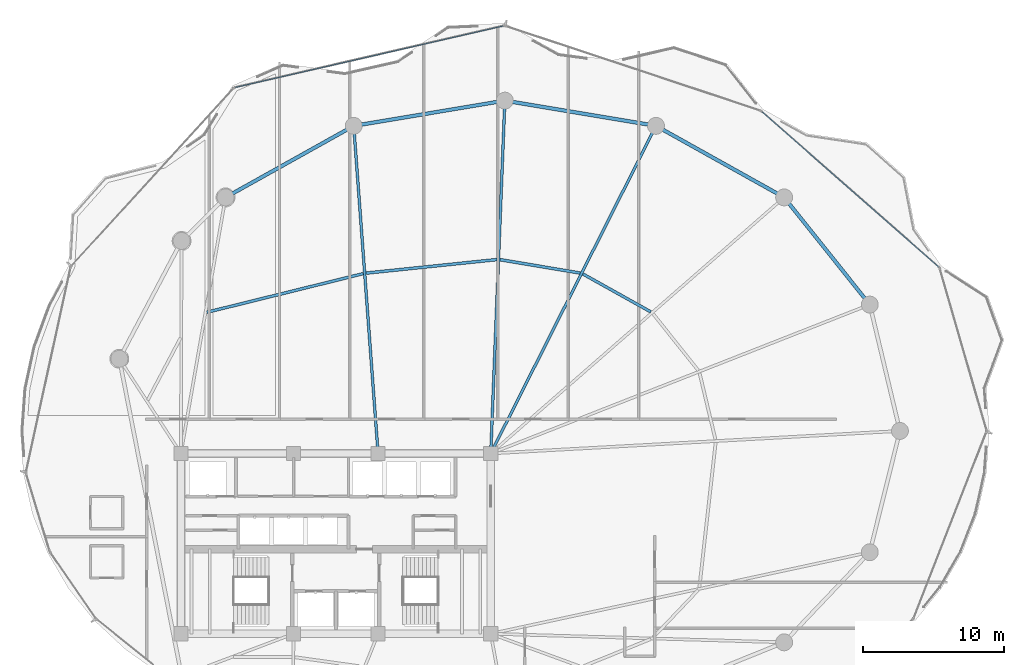
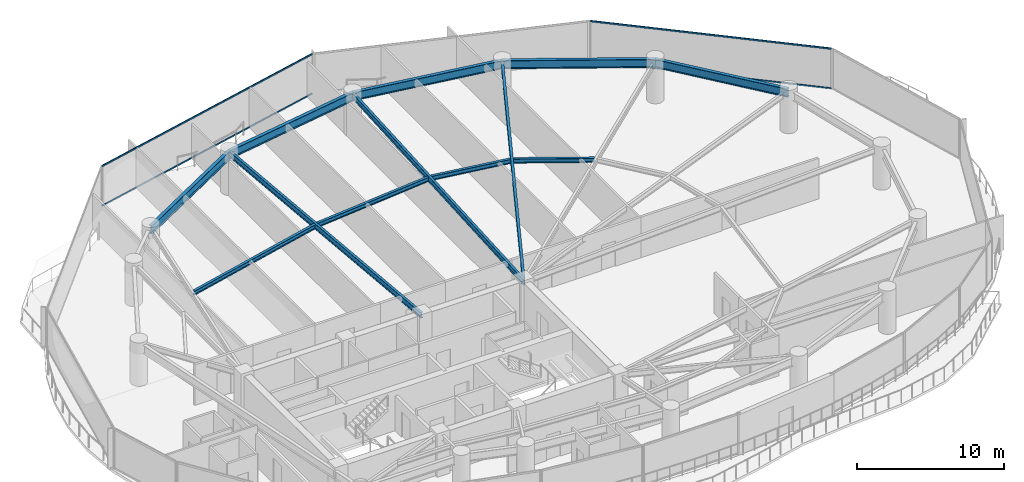
# One storey, part 20 of 34: 12 beams, 4 members, 2 elements without a shape of their own.
"""IFC4 building model written with IfcOpenShell, lengths in metres."""

from ifc_helpers import new_model, si_unit, direction, frame, origin, origin_2d, place, context, subcontext, project, spatial, hollow_rectangle, i_section, extrude, material, layer, layer_set, material_profile, profile_set, type_object, element, aggregate, save


model = new_model("IFC4")

# Units and contexts
model_context = context("Model", 3, precision=1e-05, world=origin(), true_north=direction((0.0, 1.0)))
body_context = subcontext(model_context, "Body", "Model", "MODEL_VIEW")
ifc_project = project(units=[si_unit("LENGTHUNIT", "METRE"), si_unit("AREAUNIT", "SQUARE_METRE"), si_unit("VOLUMEUNIT", "CUBIC_METRE"), si_unit("PLANEANGLEUNIT", "RADIAN"), si_unit("MASSUNIT", "GRAM", prefix="KILO")], contexts=[model_context])

# Site, building, storey
site_placement = place(None, origin())
site = spatial("IfcSite", under=ifc_project, at=site_placement, CompositionType="ELEMENT")
building_placement = place(site_placement, origin())
building = spatial("IfcBuilding", under=site, at=building_placement, Name="Kazevale Care Tower and Concert Hall", CompositionType="ELEMENT")
storey_placement = place(building_placement, frame((0.0, 0.0, 156.60009765625)))
storey = spatial("IfcBuildingStorey", under=building, at=storey_placement, Name="L41", CompositionType="ELEMENT", Elevation=156.60009765625)

# Curtain wall, members
ifc_material_1 = material(Name="Aluminium 6063-T6 and Low-E Glass", Category="aluminium")
ifc_layer = layer(ifc_material_1, 0.179931640625)
ifc_layer_set = layer_set([ifc_layer], Name="Aluminium 6063-T6 and Low-E Glass")
curtain_wall_type = type_object("IfcCurtainWallType", Name="Convex Recessed Sunroom Curtain Wall CW-3", PredefinedType="NOTDEFINED", material=ifc_layer_set)
curtain_wall_1_placement = place(storey_placement, origin())
curtain_wall_1 = element("IfcCurtainWall", 1, at=curtain_wall_1_placement, inside=storey, type_object=curtain_wall_type, Name="cw:L41:f15", PredefinedType="NOTDEFINED")
ifc_material_2 = material(Name="Aluminium 6063-T6", Category="aluminium")
ifc_material_profile_1 = material_profile(ifc_material_2, hollow_rectangle(XDim=0.074951171875, YDim=0.1201171875, WallThickness=0.00390625, at=origin_2d()), Name="ALU75x120x4")
ifc_profile_set_1 = profile_set([ifc_material_profile_1], Name="Aluminium 6063-T6")
member_type = type_object("IfcMemberType", Name="CW-3 Transom ALU75x120x4", PredefinedType="USERDEFINED", material=ifc_profile_set_1)
member_1_placement = place(storey_placement, frame((25.857177734375, 62.38671875, 0.037353515625), z_axis=(0.974688165128, 0.22356873833, 0.0), x_axis=(-0.22356873833, 0.974688165128, 0.0)))
member_1 = element("IfcMember", 2, at=member_1_placement, type_object=member_type, Name="CW-3 transom 1.1", ObjectType="TRANSOM", PredefinedType="USERDEFINED", context=body_context, shape_type="SweptSolid", body=[
    extrude(hollow_rectangle(XDim=0.074951171875, YDim=0.1201171875, WallThickness=0.00390625, at=origin_2d()), origin(), (0.0, 0.0, 1.0), 19.52197265625),
])
member_2_placement = place(storey_placement, frame((25.857177734375, 62.38671875, 3.322509765625), z_axis=(0.974688165128, 0.22356873833, 0.0), x_axis=(-0.22356873833, 0.974688165128, 0.0)))
member_2 = element("IfcMember", 3, at=member_2_placement, type_object=member_type, Name="CW-3 transom 1.2", ObjectType="TRANSOM", PredefinedType="USERDEFINED", context=body_context, shape_type="SweptSolid", body=[
    extrude(hollow_rectangle(XDim=0.074951171875, YDim=0.1201171875, WallThickness=0.00390625, at=origin_2d()), origin(), (0.0, 0.0, 1.0), 19.52197265625),
])
aggregate(curtain_wall_1, [member_1, member_2])

curtain_wall_2_placement = place(storey_placement, origin())
curtain_wall_2 = element("IfcCurtainWall", 4, at=curtain_wall_2_placement, inside=storey, type_object=curtain_wall_type, Name="cw:L41:f17", PredefinedType="NOTDEFINED")
member_3_placement = place(storey_placement, frame((63.2392578125, 60.672607421875, 0.037353515625), z_axis=(0.751360456021, -0.659892010202, 0.0), x_axis=(0.659892010202, 0.751360456021, 0.0)))
member_3 = element("IfcMember", 5, at=member_3_placement, type_object=member_type, Name="CW-3 transom 1.1", ObjectType="TRANSOM", PredefinedType="USERDEFINED", context=body_context, shape_type="SweptSolid", body=[
    extrude(hollow_rectangle(XDim=0.074951171875, YDim=0.1201171875, WallThickness=0.00390625, at=origin_2d()), origin(), (0.0, 0.0, 1.0), 16.72998046875),
])
member_4_placement = place(storey_placement, frame((63.2392578125, 60.672607421875, 3.322509765625), z_axis=(0.751360456021, -0.659892010202, 0.0), x_axis=(0.659892010202, 0.751360456021, 0.0)))
member_4 = element("IfcMember", 6, at=member_4_placement, type_object=member_type, Name="CW-3 transom 1.2", ObjectType="TRANSOM", PredefinedType="USERDEFINED", context=body_context, shape_type="SweptSolid", body=[
    extrude(hollow_rectangle(XDim=0.074951171875, YDim=0.1201171875, WallThickness=0.00390625, at=origin_2d()), origin(), (0.0, 0.0, 1.0), 16.72998046875),
])
aggregate(curtain_wall_2, [member_3, member_4])

# Beams
ifc_material_3 = material(Name="Steel ASTM A572 Gr 50", Category="steel")
ifc_material_profile_2 = material_profile(ifc_material_3, i_section(OverallWidth=0.19091796875, OverallDepth=0.4599609375, WebThickness=0.010009765625, FlangeThickness=0.01611328125, at=origin_2d()), Name="W460x82")
ifc_profile_set_2 = profile_set([ifc_material_profile_2], Name="Steel ASTM A572 Gr 50")
beam_type_1 = type_object("IfcBeamType", Name="Radial Floor Beam W460x82", PredefinedType="BEAM", material=ifc_profile_set_2)
beam_1_placement = place(storey_placement, frame((44.0, 36.39990234375, 3.1298828125), z_axis=(0.450281187568, 0.892886808124, 0.0), x_axis=(-0.892886808124, 0.450281187568, 0.0)))
element("IfcBeam", 7, at=beam_1_placement, inside=storey, type_object=beam_type_1, Name="beam:L41:rad:04", PredefinedType="BEAM", context=body_context, shape_type="SweptSolid", body=[
    extrude(i_section(OverallWidth=0.19091796875, OverallDepth=0.4599609375, WebThickness=0.010009765625, FlangeThickness=0.01611328125, at=origin_2d()), origin(), (0.0, 0.0, 1.0), 26.05029296875),
])
beam_2_placement = place(storey_placement, frame((44.0, 36.39990234375, 3.1298828125), z_axis=(0.039888311255, 0.99920414462, 0.0), x_axis=(-0.99920414462, 0.039888311255, 0.0)))
element("IfcBeam", 8, at=beam_2_placement, inside=storey, type_object=beam_type_1, Name="beam:L41:rad:05", PredefinedType="BEAM", context=body_context, shape_type="SweptSolid", body=[
    extrude(i_section(OverallWidth=0.19091796875, OverallDepth=0.4599609375, WebThickness=0.010009765625, FlangeThickness=0.01611328125, at=origin_2d()), origin(), (0.0, 0.0, 1.0), 25.070068359375),
])
beam_3_placement = place(storey_placement, frame((36.0, 36.39990234375, 3.1298828125), z_axis=(-0.074170876808, 0.997245547011, 0.0), x_axis=(-0.997245547011, -0.074170876808, 0.0)))
element("IfcBeam", 9, at=beam_3_placement, inside=storey, type_object=beam_type_1, Name="beam:L41:rad:06", PredefinedType="BEAM", context=body_context, shape_type="SweptSolid", body=[
    extrude(i_section(OverallWidth=0.19091796875, OverallDepth=0.4599609375, WebThickness=0.010009765625, FlangeThickness=0.01611328125, at=origin_2d()), origin(), (0.0, 0.0, 1.0), 23.32421875),
])
ifc_material_profile_3 = material_profile(ifc_material_3, i_section(OverallWidth=0.205078125, OverallDepth=0.35400390625, WebThickness=0.009521484375, FlangeThickness=0.016845703125, at=origin_2d()), Name="W360x79")
ifc_profile_set_3 = profile_set([ifc_material_profile_3], Name="Steel ASTM A572 Gr 50")
beam_type_2 = type_object("IfcBeamType", Name="Secondary Floor Joist W360x79", PredefinedType="JOIST", material=ifc_profile_set_3)
beam_4_placement = place(storey_placement, frame((55.364990234375, 46.449951171875, 3.182861328125), z_axis=(-0.873137755824, 0.487473547338, 0.0), x_axis=(-0.487473547338, -0.873137755824, 0.0)))
element("IfcBeam", 10, at=beam_4_placement, inside=storey, type_object=beam_type_2, Name="beam:L41:joist:03", PredefinedType="JOIST", context=body_context, shape_type="SweptSolid", body=[
    extrude(i_section(OverallWidth=0.205078125, OverallDepth=0.35400390625, WebThickness=0.009521484375, FlangeThickness=0.016845703125, at=origin_2d()), origin(), (0.0, 0.0, 1.0), 5.522705078125),
])
beam_5_placement = place(storey_placement, frame((50.347900390625, 49.2099609375, 3.182861328125), z_axis=(-0.986366476547, 0.164563586324, 0.0), x_axis=(-0.164563586324, -0.986366476547, 0.0)))
element("IfcBeam", 11, at=beam_5_placement, inside=storey, type_object=beam_type_2, Name="beam:L41:joist:04", PredefinedType="JOIST", context=body_context, shape_type="SweptSolid", body=[
    extrude(i_section(OverallWidth=0.205078125, OverallDepth=0.35400390625, WebThickness=0.009521484375, FlangeThickness=0.016845703125, at=origin_2d()), origin(), (0.0, 0.0, 1.0), 5.7724609375),
])
beam_6_placement = place(storey_placement, frame((44.446044921875, 50.1669921875, 3.182861328125), z_axis=(-0.994674810104, -0.10306319491, 0.0), x_axis=(0.10306319491, -0.994674810104, 0.0)))
element("IfcBeam", 12, at=beam_6_placement, inside=storey, type_object=beam_type_2, Name="beam:L41:joist:05", PredefinedType="JOIST", context=body_context, shape_type="SweptSolid", body=[
    extrude(i_section(OverallWidth=0.205078125, OverallDepth=0.35400390625, WebThickness=0.009521484375, FlangeThickness=0.016845703125, at=origin_2d()), origin(), (0.0, 0.0, 1.0), 9.3427734375),
])
beam_7_placement = place(storey_placement, frame((34.947021484375, 49.16796875, 3.182861328125), z_axis=(-0.970789504014, -0.239932779954, 0.0), x_axis=(0.239932779954, -0.970789504014, 0.0)))
element("IfcBeam", 13, at=beam_7_placement, inside=storey, type_object=beam_type_2, Name="beam:L41:joist:06", PredefinedType="JOIST", context=body_context, shape_type="SweptSolid", body=[
    extrude(i_section(OverallWidth=0.205078125, OverallDepth=0.35400390625, WebThickness=0.009521484375, FlangeThickness=0.016845703125, at=origin_2d()), origin(), (0.0, 0.0, 1.0), 11.43603515625),
])
ifc_material_profile_4 = material_profile(ifc_material_3, i_section(OverallWidth=0.256103515625, OverallDepth=0.693115234375, WebThickness=0.014404296875, FlangeThickness=0.023681640625, at=origin_2d()), Name="W690x170")
ifc_profile_set_4 = profile_set([ifc_material_profile_4], Name="Steel ASTM A572 Gr 50")
beam_type_3 = type_object("IfcBeamType", Name="Waist Ring Beam W690x170", PredefinedType="BEAM", material=ifc_profile_set_4)
beam_8_placement = place(storey_placement, frame((70.909912109375, 46.969970703125, 3.013427734375), z_axis=(-0.624178340034, 0.781281895242, 0.0), x_axis=(-0.781281895242, -0.624178340034, 0.0)))
element("IfcBeam", 14, at=beam_8_placement, inside=storey, type_object=beam_type_3, Name="beam:L41:ring:02", PredefinedType="BEAM", context=body_context, shape_type="SweptSolid", body=[
    extrude(i_section(OverallWidth=0.256103515625, OverallDepth=0.693115234375, WebThickness=0.014404296875, FlangeThickness=0.023681640625, at=origin_2d()), origin(), (0.0, 0.0, 1.0), 9.740478515625),
])
beam_9_placement = place(storey_placement, frame((64.830078125, 54.580078125, 3.013427734375), z_axis=(-0.873168720251, 0.487418081297, 0.0), x_axis=(-0.487418081297, -0.873168720251, 0.0)))
element("IfcBeam", 15, at=beam_9_placement, inside=storey, type_object=beam_type_3, Name="beam:L41:ring:03", PredefinedType="BEAM", context=body_context, shape_type="SweptSolid", body=[
    extrude(i_section(OverallWidth=0.256103515625, OverallDepth=0.693115234375, WebThickness=0.014404296875, FlangeThickness=0.023681640625, at=origin_2d()), origin(), (0.0, 0.0, 1.0), 10.421875),
])
for number, where, z_axis, x_axis, name in (
    (16, (55.72998046875, 59.659912109375, 3.013427734375), (-0.986368436187, 0.164551840139, 0.0), (-0.164551840139, -0.986368436187, 0.0), "beam:L41:ring:04"),
    (17, (45.0, 61.449951171875, 3.013427734375), (-0.986368436187, -0.164551840139, 0.0), (0.164551840139, -0.986368436187, 0.0), "beam:L41:ring:05"),
):
    element("IfcBeam", number, at=place(storey_placement, frame(where, z_axis=z_axis, x_axis=x_axis)), inside=storey, type_object=beam_type_3, Name=name, PredefinedType="BEAM", context=body_context, shape_type="SweptSolid", body=[
        extrude(i_section(OverallWidth=0.256103515625, OverallDepth=0.693115234375, WebThickness=0.014404296875, FlangeThickness=0.023681640625, at=origin_2d()), origin(), (0.0, 0.0, 1.0), 10.878173828125),
    ])
beam_10_placement = place(storey_placement, frame((34.27001953125, 59.659912109375, 3.013427734375), z_axis=(-0.873168720251, -0.487418081297, 0.0), x_axis=(0.487418081297, -0.873168720251, 0.0)))
element("IfcBeam", 18, at=beam_10_placement, inside=storey, type_object=beam_type_3, Name="beam:L41:ring:06", PredefinedType="BEAM", context=body_context, shape_type="SweptSolid", body=[
    extrude(i_section(OverallWidth=0.256103515625, OverallDepth=0.693115234375, WebThickness=0.014404296875, FlangeThickness=0.023681640625, at=origin_2d()), origin(), (0.0, 0.0, 1.0), 10.421875),
])

save(model, "model.ifc")
